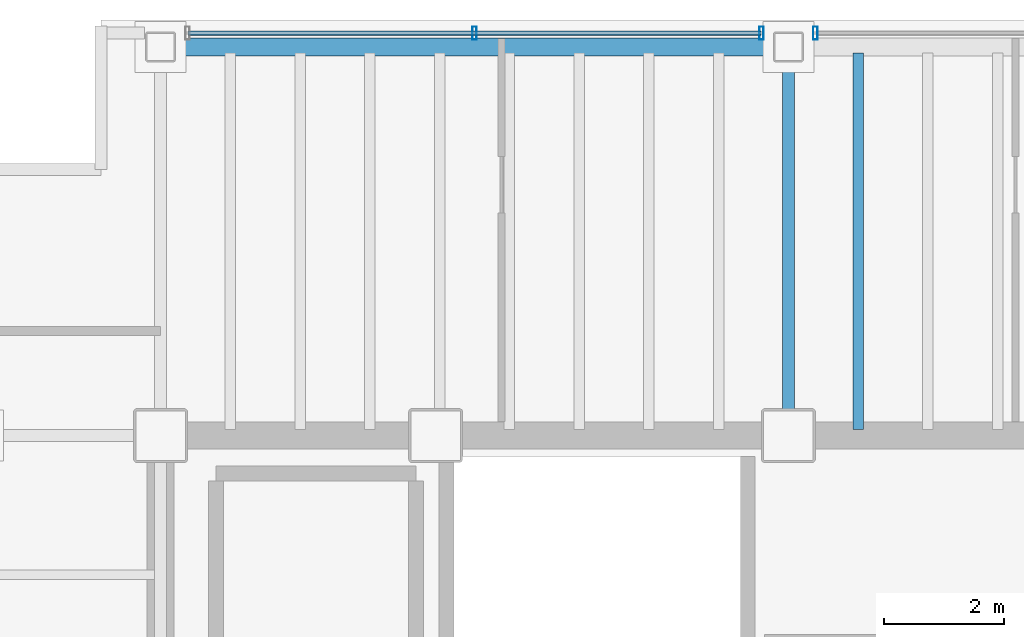
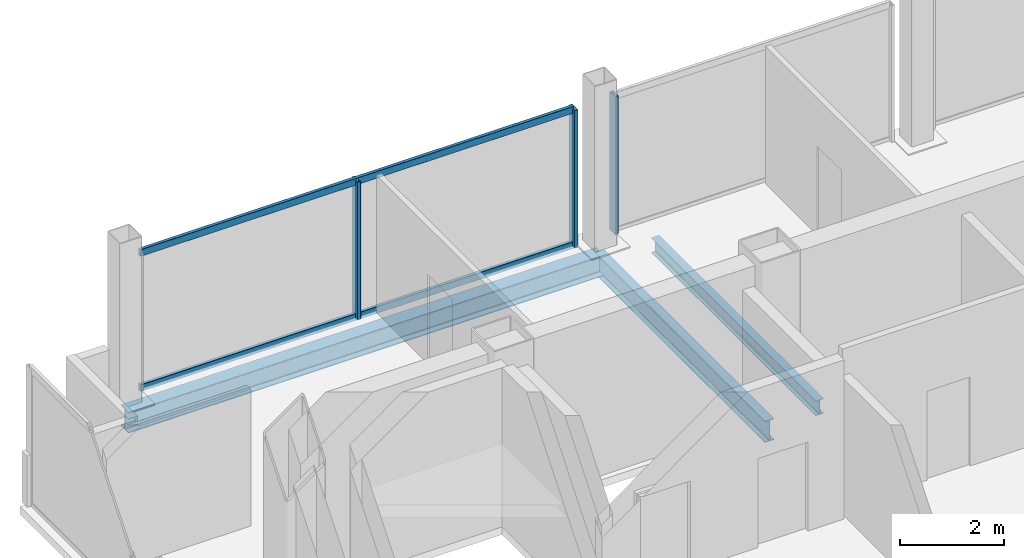
# One storey, part 7 of 15: 5 members, 3 beams, 2 elements without a shape of their own.
"""IFC4 building model written with IfcOpenShell, lengths in metres."""

from ifc_helpers import new_model, si_unit, direction, frame, origin, origin_2d, place, context, subcontext, project, spatial, hollow_rectangle, i_section, extrude, material, material_profile, profile_set, type_object, element, aggregate, save


model = new_model("IFC4")

# Units and contexts
model_context = context("Model", 3, precision=1e-05, world=origin(), true_north=direction((0.0, 1.0)))
body_context = subcontext(model_context, "Body", "Model", "MODEL_VIEW")
ifc_project = project(units=[si_unit("LENGTHUNIT", "METRE"), si_unit("AREAUNIT", "SQUARE_METRE"), si_unit("VOLUMEUNIT", "CUBIC_METRE"), si_unit("PLANEANGLEUNIT", "RADIAN"), si_unit("MASSUNIT", "GRAM", prefix="KILO")], contexts=[model_context])

# Site, building, storey
site_placement = place(None, origin())
site = spatial("IfcSite", under=ifc_project, at=site_placement, CompositionType="ELEMENT")
building_placement = place(site_placement, origin())
building = spatial("IfcBuilding", under=site, at=building_placement, Name="Noeulbin Bourse Tower", CompositionType="ELEMENT")
storey_placement = place(building_placement, frame((0.0, 0.0, 189.0)))
storey = spatial("IfcBuildingStorey", under=building, at=storey_placement, Name="L47", CompositionType="ELEMENT", Elevation=189.0)

# Beams
ifc_material_1 = material(Name="Steel S355", Category="steel")
ifc_material_profile_1 = material_profile(ifc_material_1, i_section(OverallWidth=0.199951171875, OverallDepth=0.5, WebThickness=0.010009765625, FlangeThickness=0.01611328125, FilletRadius=0.02001953125, at=origin_2d()), Name="H-500x200x10x16", Category="LoadBearing")
ifc_profile_set_1 = profile_set([ifc_material_profile_1], Name="Steel S355")
beam_type_1 = type_object("IfcBeamType", Name="BM-GRD-500", PredefinedType="USERDEFINED", material=ifc_profile_set_1)
beam_1_placement = place(storey_placement, frame((24.0, 38.300048828125, -0.429931640625), z_axis=(0.0, 1.0, 0.0), x_axis=(-1.0, 0.0, 0.0)))
element("IfcBeam", 1, at=beam_1_placement, inside=storey, type_object=beam_type_1, Name="Tower Primary Girder NS L47-2.4", ObjectType="GIRDER", PredefinedType="USERDEFINED", context=body_context, shape_type="SweptSolid", body=[
    extrude(i_section(OverallWidth=0.199951171875, OverallDepth=0.5, WebThickness=0.010009765625, FlangeThickness=0.01611328125, FilletRadius=0.02001953125, at=origin_2d()), origin(), (0.0, 0.0, 1.0), 6.5),
])
ifc_material_profile_2 = material_profile(ifc_material_1, i_section(OverallWidth=0.175048828125, OverallDepth=0.35009765625, WebThickness=0.007080078125, FlangeThickness=0.010986328125, FilletRadius=0.013916015625, at=origin_2d()), Name="H-350x175x7x11", Category="LoadBearing")
ifc_profile_set_2 = profile_set([ifc_material_profile_2], Name="Steel S355")
beam_type_2 = type_object("IfcBeamType", Name="BM-JST-350", PredefinedType="JOIST", material=ifc_profile_set_2)
beam_2_placement = place(storey_placement, frame((25.166748046875, 38.39990234375, -0.35498046875), z_axis=(0.0, 1.0, 0.0), x_axis=(-1.0, 0.0, 0.0)))
element("IfcBeam", 2, at=beam_2_placement, inside=storey, type_object=beam_type_2, Name="Tower Composite Joist L47-27", PredefinedType="JOIST", context=body_context, shape_type="SweptSolid", body=[
    extrude(i_section(OverallWidth=0.175048828125, OverallDepth=0.35009765625, WebThickness=0.007080078125, FlangeThickness=0.010986328125, FilletRadius=0.013916015625, at=origin_2d()), origin(), (0.0, 0.0, 1.0), 6.300048828125),
])
ifc_material_profile_3 = material_profile(ifc_material_1, i_section(OverallWidth=0.300048828125, OverallDepth=0.488037109375, WebThickness=0.010986328125, FlangeThickness=0.01806640625, FilletRadius=0.02197265625, at=origin_2d()), Name="H-488x300x11x18", Category="LoadBearing")
ifc_profile_set_3 = profile_set([ifc_material_profile_3], Name="Steel S355")
beam_type_3 = type_object("IfcBeamType", Name="BM-SPN-488", PredefinedType="SPANDREL", material=ifc_profile_set_3)
beam_3_placement = place(storey_placement, frame((13.5, 44.800048828125, -0.424072265625), z_axis=(1.0, 0.0, 0.0), x_axis=(0.0, 1.0, 0.0)))
element("IfcBeam", 3, at=beam_3_placement, inside=storey, type_object=beam_type_3, Name="North Spandrel L47-1", PredefinedType="SPANDREL", context=body_context, shape_type="SweptSolid", body=[
    extrude(i_section(OverallWidth=0.300048828125, OverallDepth=0.488037109375, WebThickness=0.010986328125, FlangeThickness=0.01806640625, FilletRadius=0.02197265625, at=origin_2d()), origin(), (0.0, 0.0, 1.0), 10.5),
])

# Curtain wall, members
ifc_material_2 = material(Name="Dark Tinted Triple Glazing", Category="glass")
curtain_wall_type = type_object("IfcCurtainWallType", Name="CW-SYS-3", PredefinedType="NOTDEFINED", material=ifc_material_2)
curtain_wall_1_placement = place(storey_placement, origin())
curtain_wall_1 = element("IfcCurtainWall", 4, at=curtain_wall_1_placement, inside=storey, type_object=curtain_wall_type, Name="Unitised Curtain Wall CW-L47-N-S1", PredefinedType="NOTDEFINED")
ifc_material_3 = material(Name="Anodised Aluminium 6063-T6", Category="aluminium")
ifc_material_profile_4 = material_profile(ifc_material_3, hollow_rectangle(XDim=0.074951171875, YDim=0.219970703125, WallThickness=0.0048828125, InnerFilletRadius=0.00244140625, OuterFilletRadius=0.0048828125, at=origin_2d()), Name="ALU-MULL-75x220x5", Category="LoadBearing")
ifc_profile_set_4 = profile_set([ifc_material_profile_4], Name="Anodised Aluminium 6063-T6")
member_type_1 = type_object("IfcMemberType", Name="CW-SYS-3-MUL", PredefinedType="MULLION", material=ifc_profile_set_4)
member_1_placement = place(storey_placement, frame((18.75, 45.030029296875, -0.02001953125), z_axis=(0.0, 0.0, 1.0), x_axis=(1.0, 0.0, 0.0)))
member_1 = element("IfcMember", 5, at=member_1_placement, type_object=member_type_1, Name="Curtain Wall Mullion CW-L47-N-S1-M01", PredefinedType="MULLION", context=body_context, shape_type="SweptSolid", body=[
    extrude(hollow_rectangle(XDim=0.074951171875, YDim=0.219970703125, WallThickness=0.0048828125, InnerFilletRadius=0.00244140625, OuterFilletRadius=0.0048828125, at=origin_2d()), origin(), (0.0, 0.0, 1.0), 3.219970703125),
])
member_2_placement = place(storey_placement, frame((23.550048828125, 45.030029296875, -0.02001953125), z_axis=(0.0, 0.0, 1.0), x_axis=(1.0, 0.0, 0.0)))
member_2 = element("IfcMember", 6, at=member_2_placement, type_object=member_type_1, Name="Curtain Wall Mullion CW-L47-N-S1-M02", PredefinedType="MULLION", context=body_context, shape_type="SweptSolid", body=[
    extrude(hollow_rectangle(XDim=0.074951171875, YDim=0.219970703125, WallThickness=0.0048828125, InnerFilletRadius=0.00244140625, OuterFilletRadius=0.0048828125, at=origin_2d()), origin(), (0.0, 0.0, 1.0), 3.219970703125),
])

# Curtain wall, member
curtain_wall_2_placement = place(storey_placement, origin())
curtain_wall_2 = element("IfcCurtainWall", 7, at=curtain_wall_2_placement, inside=storey, type_object=curtain_wall_type, Name="Unitised Curtain Wall CW-L47-N-S2", PredefinedType="NOTDEFINED")
member_3_placement = place(storey_placement, frame((24.449951171875, 45.030029296875, -0.02001953125), z_axis=(0.0, 0.0, 1.0), x_axis=(1.0, 0.0, 0.0)))
member_3 = element("IfcMember", 8, at=member_3_placement, type_object=member_type_1, Name="Curtain Wall Mullion CW-L47-N-S2-M00", PredefinedType="MULLION", context=body_context, shape_type="SweptSolid", body=[
    extrude(hollow_rectangle(XDim=0.074951171875, YDim=0.219970703125, WallThickness=0.0048828125, InnerFilletRadius=0.00244140625, OuterFilletRadius=0.0048828125, at=origin_2d()), origin(), (0.0, 0.0, 1.0), 3.219970703125),
])
aggregate(curtain_wall_2, [member_3])

# Member
ifc_material_profile_5 = material_profile(ifc_material_3, hollow_rectangle(XDim=0.074951171875, YDim=0.159912109375, WallThickness=0.0048828125, InnerFilletRadius=0.00244140625, OuterFilletRadius=0.0048828125, at=origin_2d()), Name="ALU-TRAN-75x160x5", Category="LoadBearing")
ifc_profile_set_5 = profile_set([ifc_material_profile_5], Name="Anodised Aluminium 6063-T6")
member_type_2 = type_object("IfcMemberType", Name="CW-SYS-3-TRN", PredefinedType="USERDEFINED", material=ifc_profile_set_5)
member_4_placement = place(storey_placement, frame((13.9599609375, 45.030029296875, 0.010009765625), z_axis=(1.0, 0.0, 0.0), x_axis=(0.0, 1.0, 0.0)))
member_4 = element("IfcMember", 9, at=member_4_placement, type_object=member_type_2, Name="Curtain Wall Transom CW-L47-N-S1-T00", ObjectType="TRANSOM", PredefinedType="USERDEFINED", context=body_context, shape_type="SweptSolid", body=[
    extrude(hollow_rectangle(XDim=0.074951171875, YDim=0.159912109375, WallThickness=0.0048828125, InnerFilletRadius=0.00244140625, OuterFilletRadius=0.0048828125, at=origin_2d()), origin(), (0.0, 0.0, 1.0), 9.580078125),
])

member_5_placement = place(storey_placement, frame((13.9599609375, 45.030029296875, 3.169921875), z_axis=(1.0, 0.0, 0.0), x_axis=(0.0, 1.0, 0.0)))
member_5 = element("IfcMember", 10, at=member_5_placement, type_object=member_type_2, Name="Curtain Wall Transom CW-L47-N-S1-T01", ObjectType="TRANSOM", PredefinedType="USERDEFINED", context=body_context, shape_type="SweptSolid", body=[
    extrude(hollow_rectangle(XDim=0.074951171875, YDim=0.159912109375, WallThickness=0.0048828125, InnerFilletRadius=0.00244140625, OuterFilletRadius=0.0048828125, at=origin_2d()), origin(), (0.0, 0.0, 1.0), 9.580078125),
])

aggregate(curtain_wall_1, [member_1, member_2, member_4, member_5])

save(model, "model.ifc")
